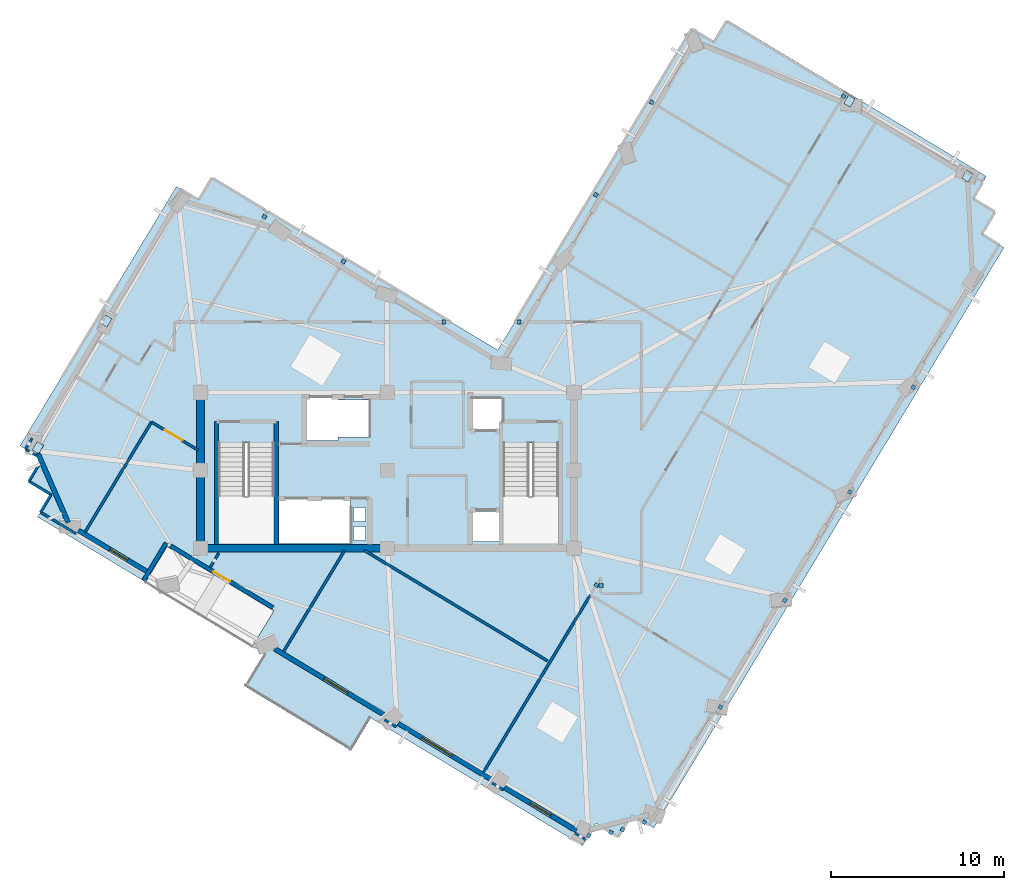
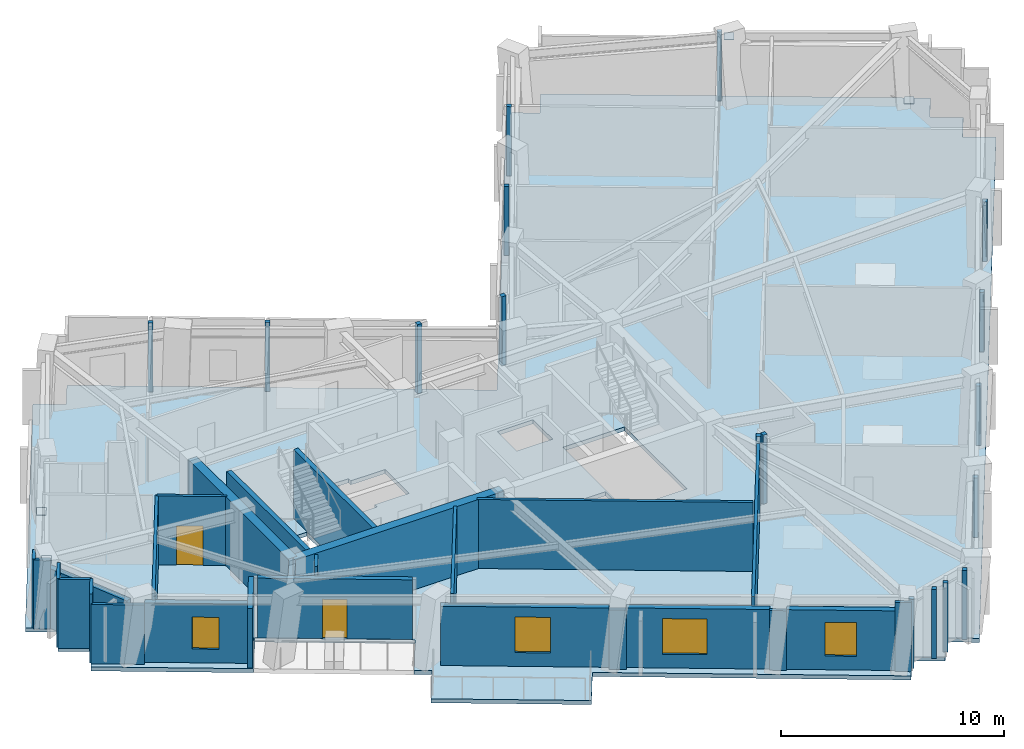
# One storey, part 4 of 12: 26 walls, 21 plates, 4 windows, 2 doors, 1 slab, 6 openings.
"""IFC4 building model written with IfcOpenShell, lengths in metres."""

from ifc_helpers import new_model, si_unit, direction, frame, frame_2d, origin, origin_2d, place, context, subcontext, project, spatial, polyline, rectangle, outline, extrude, material, layer, layer_set, type_object, element, fill, save


model = new_model("IFC4")

# Units and contexts
model_context = context("Model", 3, precision=1e-05, world=origin(), true_north=direction((0.0, 1.0)))
body_context = subcontext(model_context, "Body", "Model", "MODEL_VIEW")
ifc_project = project(units=[si_unit("LENGTHUNIT", "METRE"), si_unit("AREAUNIT", "SQUARE_METRE"), si_unit("VOLUMEUNIT", "CUBIC_METRE"), si_unit("PLANEANGLEUNIT", "RADIAN"), si_unit("MASSUNIT", "GRAM", prefix="KILO")], contexts=[model_context])

# Site, building, storey
site_placement = place(None, origin())
site = spatial("IfcSite", under=ifc_project, at=site_placement, CompositionType="ELEMENT")
building_placement = place(site_placement, origin())
building = spatial("IfcBuilding", under=site, at=building_placement, Name="Gaonmaruhae Medical Tower", CompositionType="ELEMENT")
storey_placement = place(building_placement, frame((0.0, 0.0, 276.60009765625)))
storey = spatial("IfcBuildingStorey", under=building, at=storey_placement, Name="L66", CompositionType="ELEMENT", Elevation=276.60009765625)

# Slab
ifc_material_1 = material(Name="Concrete C40/50", Category="concrete")
ifc_layer_1 = layer(ifc_material_1, 0.219970703125)
ifc_layer_set_1 = layer_set([ifc_layer_1], Name="Concrete C40/50")
slab_type = type_object("IfcSlabType", Name="FS-220 Clinical Ward Composite Floor Slab", PredefinedType="FLOOR", material=ifc_layer_set_1)
slab_placement = place(storey_placement, frame((0.0, 0.0, -0.22021484375)))
element("IfcSlab", 1, at=slab_placement, inside=storey, type_object=slab_type, Name="L66 Structural Slab 1", PredefinedType="FLOOR", context=body_context, shape_type="SweptSolid", body=[
    extrude(outline(polyline([(5.355224609375, 10.889892578125), (4.07080078125, 11.664794921875), (4.845703125, 12.94921875), (3.561279296875, 13.72412109375), (12.6005859375, 28.708740234375), (13.885009765625, 27.933837890625), (14.659912109375, 29.21826171875), (31.185791015625, 19.249267578125), (42.39453125, 37.830078125), (43.678955078125, 37.055419921875), (44.453857421875, 38.33984375), (59.4384765625, 29.30029296875), (58.663818359375, 28.01611328125), (59.947998046875, 27.2412109375), (59.17333984375, 25.956787109375), (60.457763671875, 25.181884765625), (40.209716796875, -8.383544921875), (38.92529296875, -7.60888671875), (38.150390625, -8.893310546875), (36.865966796875, -8.118408203125), (36.09130859375, -9.40283203125), (23.846435546875, -2.016357421875), (22.710205078125, -3.900146484375), (16.544921875, -0.18115234375), (17.681396484375, 1.70263671875), (16.996337890625, 2.115966796875), (18.236083984375, 4.1708984375), (12.071044921875, 7.889892578125), (10.831298828125, 5.8349609375), (4.58056640625, 9.605712890625), (5.355224609375, 10.889892578125)]), holes=[polyline([(23.550048828125, 8.25), (22.85009765625, 8.25), (22.85009765625, 9.050048828125), (23.550048828125, 9.050048828125), (23.550048828125, 8.25)]), polyline([(29.574951171875, 9.925048828125), (31.425048828125, 9.925048828125), (31.425048828125, 8.175048828125), (29.574951171875, 8.175048828125), (29.574951171875, 9.925048828125)]), polyline([(18.550048828125, 10.625), (22.64990234375, 10.625), (22.64990234375, 8.074951171875), (18.550048828125, 8.074951171875), (18.550048828125, 10.625)]), polyline([(23.550048828125, 9.35009765625), (22.85009765625, 9.35009765625), (22.85009765625, 10.14990234375), (23.550048828125, 10.14990234375), (23.550048828125, 9.35009765625)]), polyline([(15.050048828125, 13.889892578125), (18.25, 13.889892578125), (18.25, 8.300048828125), (15.050048828125, 8.300048828125), (15.050048828125, 13.889892578125)]), polyline([(31.5, 13.889892578125), (34.699951171875, 13.889892578125), (34.699951171875, 8.300048828125), (31.5, 8.300048828125), (31.5, 13.889892578125)]), polyline([(23.72509765625, 14.22509765625), (21.949951171875, 14.22509765625), (21.949951171875, 14.02490234375), (19.949951171875, 14.02490234375), (19.949951171875, 16.574951171875), (21.949951171875, 16.574951171875), (21.949951171875, 16.375), (23.72509765625, 16.375), (23.72509765625, 14.22509765625)]), polyline([(31.425048828125, 16.425048828125), (31.425048828125, 14.675048828125), (29.574951171875, 14.675048828125), (29.574951171875, 16.425048828125), (31.425048828125, 16.425048828125)])]), origin(), (0.0, 0.0, 1.0), 0.22021484375),
])

# Plates
ifc_material_2 = material(Name="Steel HSA650 (650 MPa)", Category="steel")
ifc_layer_2 = layer(ifc_material_2, 0.028076171875)
ifc_layer_set_2 = layer_set([ifc_layer_2], Name="Steel HSA650 (650 MPa)")
plate_type_1 = type_object("IfcPlateType", Name="GP-02 Tube Brace End Cap Gusset Plate", PredefinedType="USERDEFINED", material=ifc_layer_set_2)
for number, where, z_axis, x_axis, name in (
    (2, (58.3408203125, 29.3203125, 0.23583984375), (0.0, 0.0, 1.0), (0.516533328867, 0.8562670846, 0.0), "L66 Gusset Cap Plate PLT-L66-PBR-E01A"),
    (3, (51.517822265625, 33.6474609375, 3.515625), (0.0, 0.0, 1.0), (0.502265533143, 0.86471344052, 0.0), "L66 Gusset Cap Plate PLT-L66-PBR-E01B"),
    (4, (8.552001953125, 20.93212890625, 0.23583984375), (0.0, 0.0, 1.0), (0.516533328867, 0.8562670846, 0.0), "L66 Gusset Cap Plate PLT-L66-PBR-N02A"),
    (5, (4.598388671875, 13.607421875, 3.43701171875), (0.0, 0.0, 1.0), (0.502265533143, 0.86471344052, 0.0), "L66 Gusset Cap Plate PLT-L66-PBR-N02B"),
):
    element("IfcPlate", number, at=place(storey_placement, frame(where, z_axis=z_axis, x_axis=x_axis)), inside=storey, type_object=plate_type_1, Name=name, ObjectType="GUSSET_PLATE", PredefinedType="USERDEFINED", context=body_context, shape_type="SweptSolid", body=[
        extrude(rectangle(XDim=0.56005859375, YDim=0.43994140625, at=origin_2d()), origin(), (0.0, 0.0, 1.0), 0.028076171875),
    ])
ifc_material_3 = material(Name="Anodised aluminium 6063-T6", Category="aluminium")
ifc_layer_3 = layer(ifc_material_3, 0.011962890625)
ifc_layer_set_3 = layer_set([ifc_layer_3], Name="Anodised aluminium 6063-T6")
plate_type_2 = type_object("IfcPlateType", Name="PP-01 Interior Partition Corner Stiffener Plate", PredefinedType="SHEET", material=ifc_layer_set_3)
for number, where, z_axis, x_axis, name in (
    (6, (37.7275390625, -8.637939453125, 0.0), (0.0, 0.0, 1.0), (-0.856149864866, 0.516727596408, 0.0), "L66 Partition Corner Stiffener Plate PLT-L66-JGP-PW008"),
    (7, (36.449462890625, -8.80859375, 0.0), (0.0, 0.0, 1.0), (-0.515995218466, -0.856591463021, 0.0), "L66 Partition Corner Stiffener Plate PLT-L66-JGP-PW009"),
):
    element("IfcPlate", number, at=place(storey_placement, frame(where, z_axis=z_axis, x_axis=x_axis)), inside=storey, type_object=plate_type_2, Name=name, PredefinedType="SHEET", context=body_context, shape_type="SweptSolid", body=[
        extrude(rectangle(XDim=0.219970703125, YDim=0.219970703125, at=origin_2d()), origin(), (0.0, 0.0, 1.0), 3.780029296875),
    ])
plate_1_placement = place(storey_placement, frame((44.060546875, -1.380615234375, 0.0), z_axis=(0.0, 0.0, 1.0), x_axis=(-0.515292378894, -0.857014448101, 0.0)))
element("IfcPlate", 8, at=plate_1_placement, inside=storey, type_object=plate_type_2, Name="L66 Partition Corner Stiffener Plate PLT-L66-JGP-PW014", PredefinedType="SHEET", context=body_context, shape_type="SweptSolid", body=[
    extrude(rectangle(XDim=0.219970703125, YDim=0.219970703125, at=origin_2d()), origin(), (0.0, 0.0, 1.0), 3.264892578125),
])
for number, where, z_axis, x_axis, name in (
    (9, (39.64990234375, -8.0458984375, 0.0), (0.0, 0.0, 1.0), (-0.85696048211, 0.515382122411, 0.0), "L66 Partition Corner Stiffener Plate PLT-L66-JGP-PW016"),
    (10, (38.405029296875, -8.470458984375, 0.0), (0.0, 0.0, 1.0), (-0.516727596408, -0.856149864866, 0.0), "L66 Partition Corner Stiffener Plate PLT-L66-JGP-PW017"),
):
    element("IfcPlate", number, at=place(storey_placement, frame(where, z_axis=z_axis, x_axis=x_axis)), inside=storey, type_object=plate_type_2, Name=name, PredefinedType="SHEET", context=body_context, shape_type="SweptSolid", body=[
        extrude(rectangle(XDim=0.219970703125, YDim=0.219970703125, at=origin_2d()), origin(), (0.0, 0.0, 1.0), 3.780029296875),
    ])
plate_2_placement = place(storey_placement, frame((47.779052734375, 4.783935546875, 0.0), z_axis=(0.0, 0.0, 1.0), x_axis=(-0.516757481361, -0.856131827149, 0.0)))
element("IfcPlate", 11, at=plate_2_placement, inside=storey, type_object=plate_type_2, Name="L66 Partition Corner Stiffener Plate PLT-L66-JGP-PW022", PredefinedType="SHEET", context=body_context, shape_type="SweptSolid", body=[
    extrude(rectangle(XDim=0.219970703125, YDim=0.219970703125, at=origin_2d()), origin(), (0.0, 0.0, 1.0), 3.264892578125),
])
for number, where, z_axis, x_axis, name in (
    (12, (36.886474609375, 5.66162109375, 0.0), (0.0, 0.0, 1.0), (0.516802307611, 0.856104768617, 0.0), "L66 Partition Corner Stiffener Plate PLT-L66-JGP-PW023"),
    (13, (37.14990234375, 5.6474609375, 0.0), (0.0, 0.0, 1.0), (0.0, -1.0, 0.0), "L66 Partition Corner Stiffener Plate PLT-L66-JGP-PW024"),
):
    element("IfcPlate", number, at=place(storey_placement, frame(where, z_axis=z_axis, x_axis=x_axis)), inside=storey, type_object=plate_type_2, Name=name, PredefinedType="SHEET", context=body_context, shape_type="SweptSolid", body=[
        extrude(rectangle(XDim=0.219970703125, YDim=0.219970703125, at=origin_2d()), origin(), (0.0, 0.0, 1.0), 3.780029296875),
    ])
for number, where, z_axis, x_axis, name in (
    (14, (55.217041015625, 17.113525390625, 0.0), (0.0, 0.0, 1.0), (-0.516174611244, -0.856483374449, 0.0), "L66 Partition Corner Stiffener Plate PLT-L66-JGP-PW027"),
    (15, (51.552978515625, 11.0400390625, 0.0), (0.0, 0.0, 1.0), (-0.516010168729, -0.856582457075, 0.0), "L66 Partition Corner Stiffener Plate PLT-L66-JGP-PW028"),
):
    element("IfcPlate", number, at=place(storey_placement, frame(where, z_axis=z_axis, x_axis=x_axis)), inside=storey, type_object=plate_type_2, Name=name, PredefinedType="SHEET", context=body_context, shape_type="SweptSolid", body=[
        extrude(rectangle(XDim=0.219970703125, YDim=0.219970703125, at=origin_2d()), origin(), (0.0, 0.0, 1.0), 3.264892578125),
    ])
for number, where, z_axis, x_axis, name in (
    (16, (32.424072265625, 20.8798828125, 0.0), (0.0, 0.0, 1.0), (-1.0, 0.0, 0.0), "L66 Partition Corner Stiffener Plate PLT-L66-JGP-PW054"),
    (17, (22.262451171875, 24.3779296875, 0.0), (0.0, 0.0, 1.0), (0.517534269031, 0.855662480408, 0.0), "L66 Partition Corner Stiffener Plate PLT-L66-JGP-PW060"),
    (18, (28.06103515625, 20.8798828125, 0.0), (0.0, 0.0, 1.0), (-1.0, 0.0, 0.0), "L66 Partition Corner Stiffener Plate PLT-L66-JGP-PW062"),
    (19, (17.69189453125, 26.966552734375, 0.0), (0.0, 0.0, 1.0), (0.517130990138, 0.855906267671, 0.0), "L66 Partition Corner Stiffener Plate PLT-L66-JGP-PW066"),
    (20, (36.857421875, 28.23046875, 0.0), (0.0, 0.0, 1.0), (0.856276099677, -0.516518384108, 0.0), "L66 Partition Corner Stiffener Plate PLT-L66-JGP-PW086"),
    (21, (40.0859375, 33.58203125, 0.0), (0.0, 0.0, 1.0), (0.856681508129, -0.515845707194, 0.0), "L66 Partition Corner Stiffener Plate PLT-L66-JGP-PW090"),
    (22, (51.16796875, 33.925048828125, 0.0), (0.0, 0.0, 1.0), (-0.516398820376, -0.856348210902, 0.0), "L66 Partition Corner Stiffener Plate PLT-L66-JGP-PW097"),
):
    element("IfcPlate", number, at=place(storey_placement, frame(where, z_axis=z_axis, x_axis=x_axis)), inside=storey, type_object=plate_type_2, Name=name, PredefinedType="SHEET", context=body_context, shape_type="SweptSolid", body=[
        extrude(rectangle(XDim=0.219970703125, YDim=0.219970703125, at=origin_2d()), origin(), (0.0, 0.0, 1.0), 3.780029296875),
    ])

# Walls
ifc_material_4 = material(Name="Concrete C50/60", Category="concrete")
ifc_layer_4 = layer(ifc_material_4, 0.449951171875)
ifc_layer_set_4 = layer_set([ifc_layer_4], Name="Concrete C50/60")
wall_type_1 = type_object("IfcWallType", Name="CW-450 Upper Core Shear Wall", PredefinedType="SHEAR", material=ifc_layer_set_4)
wall_1_placement = place(storey_placement, frame((14.0, 7.800048828125, 0.0), z_axis=(0.0, 0.0, 1.0), x_axis=(1.0, 0.0, 0.0)))
element("IfcWall", 23, at=wall_1_placement, inside=storey, type_object=wall_type_1, Name="L66 Core Shear Wall CSW-S1", PredefinedType="SHEAR", context=body_context, shape_type="SweptSolid", body=[
    extrude(rectangle(XDim=10.800048828125, YDim=0.449951171875, at=frame_2d((5.39990234375, 0.0))), origin(), (0.0, 0.0, 1.0), 3.77978515625),
])
wall_2_placement = place(storey_placement, frame((14.0, 16.800048828125, 0.0), z_axis=(0.0, 0.0, 1.0), x_axis=(0.0, -1.0, 0.0)))
element("IfcWall", 24, at=wall_2_placement, inside=storey, type_object=wall_type_1, Name="L66 Core Shear Wall CSW-W1", PredefinedType="SHEAR", context=body_context, shape_type="SweptSolid", body=[
    extrude(rectangle(XDim=9.0, YDim=0.449951171875, at=frame_2d((4.5, 0.0))), origin(), (0.0, 0.0, 1.0), 3.77978515625),
])

# Wall, opening, door
ifc_material_5 = material(Name="Precast concrete C45/55", Category="concrete")
ifc_layer_5 = layer(ifc_material_5, 0.239990234375)
ifc_layer_set_5 = layer_set([ifc_layer_5], Name="Precast concrete C45/55")
wall_type_2 = type_object("IfcWallType", Name="EW-240 Ribbon & Shelter Insulated Precast Wall", PredefinedType="SOLIDWALL", material=ifc_layer_set_5)
wall_3_placement = place(storey_placement, frame((18.20556640625, 4.352783203125, 0.0), z_axis=(0.0, 0.0, 1.0), x_axis=(-0.856267913318, 0.516531955084, 0.0)))
wall_3 = element("IfcWall", 25, at=wall_3_placement, inside=storey, type_object=wall_type_2, Name="L66 Recessed Terrace Enclosure Wall TERB", PredefinedType="SOLIDWALL", context=body_context, shape_type="SweptSolid", body=[
    extrude(rectangle(XDim=6.959716796875, YDim=0.239990234375, at=frame_2d((3.47998046875, 0.0))), origin(), (0.0, 0.0, 1.0), 3.264892578125),
])
opening_1_placement = place(wall_3_placement, frame((2.929931640625, 0.0, 0.0)))
opening_1 = element("IfcOpeningElement", 26, at=opening_1_placement, cuts=wall_3, Name="Opening TD-01", PredefinedType="OPENING", context=body_context, shape_type="SweptSolid", body=[
    extrude(rectangle(XDim=1.10009765625, YDim=2.14990234375, at=frame_2d((0.550048828125, 1.074951171875))), frame((0.0, 0.1298828125, 0.0), z_axis=(0.0, -1.0, 0.0), x_axis=(1.0, 0.0, 0.0)), (0.0, 0.0, 1.0), 0.260009765625),
])
ifc_material_6 = material(Name="Anodised aluminium and toughened safety glass", Category="aluminium")
door_type_1 = type_object("IfcDoorType", Name="TD-01 Terrace & Sky Garden Glazed Door 1100x2150", OperationType="NOTDEFINED", PredefinedType="DOOR", material=ifc_material_6)
door_1_placement = place(opening_1_placement, origin())
door_1 = element("IfcDoor", 27, at=door_1_placement, inside=storey, type_object=door_type_1, Name="L66 Outdoor Terrace Access Door SLB-L66-TER", OperationType="SINGLE_SWING_LEFT", OverallHeight=2.14990234375, OverallWidth=1.10009765625, PredefinedType="DOOR", context=body_context, shape_type="SweptSolid", body=[
    extrude(rectangle(XDim=1.10009765625, YDim=2.14990234375, at=frame_2d((0.550048828125, 1.074951171875))), frame((0.0, 0.02490234375, 0.0), z_axis=(0.0, -1.0, 0.0), x_axis=(1.0, 0.0, 0.0)), (0.0, 0.0, 1.0), 0.050048828125),
])
fill(opening_1, door_1)

# Walls
wall_4_placement = place(storey_placement, frame((12.00634765625, 8.092529296875, 0.0), z_axis=(0.0, 0.0, 1.0), x_axis=(-0.516590911312, -0.856232346008, 0.0)))
element("IfcWall", 28, at=wall_4_placement, inside=storey, type_object=wall_type_2, Name="L66 Recessed Terrace Enclosure Wall TERR", PredefinedType="SOLIDWALL", context=body_context, shape_type="SweptSolid", body=[
    extrude(rectangle(XDim=2.5, YDim=0.239990234375, at=frame_2d((1.25, 0.0))), origin(), (0.0, 0.0, 1.0), 3.264892578125),
])
ifc_layer_6 = layer(ifc_material_5, 0.280029296875)
ifc_layer_set_6 = layer_set([ifc_layer_6], Name="Precast concrete C45/55")
wall_type_3 = type_object("IfcWallType", Name="EW-280 Upper Precast Masonry-Frame Facade Wall", PredefinedType="SOLIDWALL", material=ifc_layer_set_6)
wall_5_placement = place(storey_placement, frame((6.3505859375, 9.273193359375, 0.0), z_axis=(0.0, 0.0, 1.0), x_axis=(-0.401698979628, 0.91577176729, 0.0)))
element("IfcWall", 29, at=wall_5_placement, inside=storey, type_object=wall_type_3, Name="L66 Precast Masonry-Frame Wall N03-W01", PredefinedType="SOLIDWALL", context=body_context, shape_type="SweptSolid", body=[
    extrude(rectangle(XDim=4.408203125, YDim=0.280029296875, at=frame_2d((2.2041015625, 0.0))), origin(), (0.0, 0.0, 1.0), 3.264892578125),
])

# Wall, opening, window
wall_6_placement = place(storey_placement, frame((10.961181640625, 6.398681640625, 0.0), z_axis=(0.0, 0.0, 1.0), x_axis=(-0.856261128113, 0.51654320292, 0.0)))
wall_6 = element("IfcWall", 30, at=wall_6_placement, inside=storey, type_object=wall_type_3, Name="L66 Precast Masonry-Frame Wall W01-W02", PredefinedType="SOLIDWALL", context=body_context, shape_type="SweptSolid", body=[
    extrude(rectangle(XDim=4.713623046875, YDim=0.280029296875, at=frame_2d((2.35693359375, 0.0))), origin(), (0.0, 0.0, 1.0), 3.244873046875),
])
opening_2_placement = place(wall_6_placement, frame((1.3798828125, 0.0, 0.75)))
opening_2 = element("IfcOpeningElement", 31, at=opening_2_placement, cuts=wall_6, Name="Opening WN-05", PredefinedType="OPENING", context=body_context, shape_type="SweptSolid", body=[
    extrude(rectangle(XDim=1.199951171875, YDim=1.75, at=frame_2d((0.60009765625, 0.875))), frame((0.0, 0.14990234375, 0.0), z_axis=(0.0, -1.0, 0.0), x_axis=(1.0, 0.0, 0.0)), (0.0, 0.0, 1.0), 0.300048828125),
])
ifc_material_7 = material(Name="Anodised aluminium and Low-E double glazing", Category="aluminium")
window_type_1 = type_object("IfcWindowType", Name="WN-05 Support & Staff Punched Window 1200x1750", PartitioningType="SINGLE_PANEL", PredefinedType="WINDOW", material=ifc_material_7)
window_1_placement = place(opening_2_placement, origin())
window_1 = element("IfcWindow", 32, at=window_1_placement, inside=storey, type_object=window_type_1, Name="L66 Modular Facade Window W01", OverallHeight=1.75, OverallWidth=1.199951171875, PartitioningType="SINGLE_PANEL", PredefinedType="WINDOW", context=body_context, shape_type="SweptSolid", body=[
    extrude(rectangle(XDim=1.199951171875, YDim=1.75, at=frame_2d((0.60009765625, 0.875))), frame((0.0, 0.030029296875, 0.0), z_axis=(0.0, -1.0, 0.0), x_axis=(1.0, 0.0, 0.0)), (0.0, 0.0, 1.0), 0.06005859375),
])
fill(opening_2, window_1)

wall_7_placement = place(storey_placement, frame((24.758544921875, -1.92431640625, 0.0), z_axis=(0.0, 0.0, 1.0), x_axis=(-0.856256386389, 0.516551063078, 0.0)))
wall_7 = element("IfcWall", 33, at=wall_7_placement, inside=storey, type_object=wall_type_3, Name="L66 Precast Masonry-Frame Wall W03-W04", PredefinedType="SOLIDWALL", context=body_context, shape_type="SweptSolid", body=[
    extrude(rectangle(XDim=7.558349609375, YDim=0.280029296875, at=frame_2d((3.779296875, 0.0))), origin(), (0.0, 0.0, 1.0), 3.244873046875),
])
opening_3_placement = place(wall_7_placement, frame((2.61279296875, 0.0, 0.75)))
opening_3 = element("IfcOpeningElement", 34, at=opening_3_placement, cuts=wall_7, Name="Opening WN-01", PredefinedType="OPENING", context=body_context, shape_type="SweptSolid", body=[
    extrude(rectangle(XDim=1.60009765625, YDim=1.949951171875, at=frame_2d((0.800048828125, 0.97509765625))), frame((0.0, 0.14990234375, 0.0), z_axis=(0.0, -1.0, 0.0), x_axis=(1.0, 0.0, 0.0)), (0.0, 0.0, 1.0), 0.300048828125),
])
window_type_2 = type_object("IfcWindowType", Name="WN-01 Ward Punched Acoustic Window 1600x1950", PartitioningType="SINGLE_PANEL", PredefinedType="WINDOW", material=ifc_material_7)
window_2_placement = place(opening_3_placement, origin())
window_2 = element("IfcWindow", 35, at=window_2_placement, inside=storey, type_object=window_type_2, Name="L66 Modular Facade Window W03", OverallHeight=1.949951171875, OverallWidth=1.60009765625, PartitioningType="SINGLE_PANEL", PredefinedType="WINDOW", context=body_context, shape_type="SweptSolid", body=[
    extrude(rectangle(XDim=1.60009765625, YDim=1.949951171875, at=frame_2d((0.800048828125, 0.97509765625))), frame((0.0, 0.030029296875, 0.0), z_axis=(0.0, -1.0, 0.0), x_axis=(1.0, 0.0, 0.0)), (0.0, 0.0, 1.0), 0.06005859375),
])
fill(opening_3, window_2)

wall_8_placement = place(storey_placement, frame((30.9345703125, -5.64990234375, 0.0), z_axis=(0.0, 0.0, 1.0), x_axis=(-0.856266766998, 0.516533855362, 0.0)))
wall_8 = element("IfcWall", 36, at=wall_8_placement, inside=storey, type_object=wall_type_3, Name="L66 Precast Masonry-Frame Wall W04-W05", PredefinedType="SOLIDWALL", context=body_context, shape_type="SweptSolid", body=[
    extrude(rectangle(XDim=6.42529296875, YDim=0.280029296875, at=frame_2d((3.212646484375, 0.0))), origin(), (0.0, 0.0, 1.0), 3.264892578125),
])
opening_4_placement = place(wall_8_placement, frame((2.819580078125, 0.0, 0.75)))
opening_4 = element("IfcOpeningElement", 37, at=opening_4_placement, cuts=wall_8, Name="Opening WN-02", PredefinedType="OPENING", context=body_context, shape_type="SweptSolid", body=[
    extrude(rectangle(XDim=2.0, YDim=1.949951171875, at=frame_2d((1.0, 0.97509765625))), frame((0.0, 0.14990234375, 0.0), z_axis=(0.0, -1.0, 0.0), x_axis=(1.0, 0.0, 0.0)), (0.0, 0.0, 1.0), 0.300048828125),
])
window_type_3 = type_object("IfcWindowType", Name="WN-02 Double-Bed Ward Punched Window 2000x1950", PartitioningType="SINGLE_PANEL", PredefinedType="WINDOW", material=ifc_material_7)
window_3_placement = place(opening_4_placement, origin())
window_3 = element("IfcWindow", 38, at=window_3_placement, inside=storey, type_object=window_type_3, Name="L66 Modular Facade Window W04", OverallHeight=1.949951171875, OverallWidth=2.0, PartitioningType="SINGLE_PANEL", PredefinedType="WINDOW", context=body_context, shape_type="SweptSolid", body=[
    extrude(rectangle(XDim=2.0, YDim=1.949951171875, at=frame_2d((1.0, 0.97509765625))), frame((0.0, 0.030029296875, 0.0), z_axis=(0.0, -1.0, 0.0), x_axis=(1.0, 0.0, 0.0)), (0.0, 0.0, 1.0), 0.06005859375),
])
fill(opening_4, window_3)

wall_9_placement = place(storey_placement, frame((35.743896484375, -8.551025390625, 0.0), z_axis=(0.0, 0.0, 1.0), x_axis=(-0.856279306397, 0.51651306802, 0.0)))
wall_9 = element("IfcWall", 39, at=wall_9_placement, inside=storey, type_object=wall_type_3, Name="L66 Precast Masonry-Frame Wall W05-W06", PredefinedType="SOLIDWALL", context=body_context, shape_type="SweptSolid", body=[
    extrude(rectangle(XDim=4.855224609375, YDim=0.280029296875, at=frame_2d((2.427734375, 0.0))), origin(), (0.0, 0.0, 1.0), 3.264892578125),
])
opening_5_placement = place(wall_9_placement, frame((1.732666015625, 0.0, 0.75)))
opening_5 = element("IfcOpeningElement", 40, at=opening_5_placement, cuts=wall_9, Name="Opening WN-03", PredefinedType="OPENING", context=body_context, shape_type="SweptSolid", body=[
    extrude(rectangle(XDim=1.39990234375, YDim=1.85009765625, at=frame_2d((0.699951171875, 0.925048828125))), frame((0.0, 0.14990234375, 0.0), z_axis=(0.0, -1.0, 0.0), x_axis=(1.0, 0.0, 0.0)), (0.0, 0.0, 1.0), 0.300048828125),
])
window_type_4 = type_object("IfcWindowType", Name="WN-03 Isolation Ward Punched Window 1400x1850", PartitioningType="SINGLE_PANEL", PredefinedType="WINDOW", material=ifc_material_7)
window_4_placement = place(opening_5_placement, origin())
window_4 = element("IfcWindow", 41, at=window_4_placement, inside=storey, type_object=window_type_4, Name="L66 Modular Facade Window W05", OverallHeight=1.85009765625, OverallWidth=1.39990234375, PartitioningType="SINGLE_PANEL", PredefinedType="WINDOW", context=body_context, shape_type="SweptSolid", body=[
    extrude(rectangle(XDim=1.39990234375, YDim=1.85009765625, at=frame_2d((0.699951171875, 0.925048828125))), frame((0.0, 0.030029296875, 0.0), z_axis=(0.0, -1.0, 0.0), x_axis=(1.0, 0.0, 0.0)), (0.0, 0.0, 1.0), 0.06005859375),
])
fill(opening_5, window_4)

# Walls
ifc_material_8 = material(Name="Gypsum board partition", Category="gypsum")
ifc_layer_7 = layer(ifc_material_8, 0.14990234375)
ifc_layer_set_7 = layer_set([ifc_layer_7], Name="Gypsum board partition")
wall_type_4 = type_object("IfcWallType", Name="PW-150 Rated Clinical Corridor Partition", PredefinedType="PARTITIONING", material=ifc_layer_set_7)
wall_10_placement = place(storey_placement, frame((36.298095703125, -9.06005859375, 0.0), z_axis=(0.0, 0.0, 1.0), x_axis=(-0.856028502865, 0.516928623974, 0.0)))
element("IfcWall", 42, at=wall_10_placement, inside=storey, type_object=wall_type_4, Name="L66 Interior Partition L66-SUP01-10", PredefinedType="PARTITIONING", context=body_context, shape_type="SweptSolid", body=[
    extrude(rectangle(XDim=0.7373046875, YDim=0.14990234375, at=frame_2d((0.36865234375, 0.0))), origin(), (0.0, 0.0, 1.0), 3.77978515625),
])
wall_11_placement = place(storey_placement, frame((31.509033203125, -6.172119140625, 0.0), z_axis=(0.0, 0.0, 1.0), x_axis=(-0.855877128353, 0.51717921571, 0.0)))
element("IfcWall", 43, at=wall_11_placement, inside=storey, type_object=wall_type_4, Name="L66 Interior Partition L66-SUP01-11", PredefinedType="PARTITIONING", context=body_context, shape_type="SweptSolid", body=[
    extrude(rectangle(XDim=0.761962890625, YDim=0.14990234375, at=frame_2d((0.380859375, 0.0))), origin(), (0.0, 0.0, 1.0), 3.264892578125),
])
wall_12_placement = place(storey_placement, frame((30.35498046875, -5.166015625, 0.0), z_axis=(0.0, 0.0, 1.0), x_axis=(0.516562927605, 0.856249228802, 0.0)))
element("IfcWall", 44, at=wall_12_placement, inside=storey, type_object=wall_type_4, Name="L66 Interior Partition L66-SUP01-12", PredefinedType="PARTITIONING", context=body_context, shape_type="SweptSolid", body=[
    extrude(rectangle(XDim=11.975341796875, YDim=0.14990234375, at=frame_2d((5.98779296875, 0.0))), origin(), (0.0, 0.0, 1.0), 3.77978515625),
])
wall_13_placement = place(storey_placement, frame((25.31396484375, -2.528076171875, 0.0), z_axis=(0.0, 0.0, 1.0), x_axis=(-0.85606703379, 0.516864811781, 0.0)))
element("IfcWall", 45, at=wall_13_placement, inside=storey, type_object=wall_type_4, Name="L66 Interior Partition L66-WOF05-37", PredefinedType="PARTITIONING", context=body_context, shape_type="SweptSolid", body=[
    extrude(rectangle(XDim=0.787353515625, YDim=0.14990234375, at=frame_2d((0.3935546875, 0.0))), origin(), (0.0, 0.0, 1.0), 3.264892578125),
])
wall_14_placement = place(storey_placement, frame((18.794921875, 1.806884765625, 0.0), z_axis=(0.0, 0.0, 1.0), x_axis=(0.516562549991, 0.856249456611, 0.0)))
element("IfcWall", 46, at=wall_14_placement, inside=storey, type_object=wall_type_4, Name="L66 Interior Partition L66-WOF05-38", PredefinedType="PARTITIONING", context=body_context, shape_type="SweptSolid", body=[
    extrude(rectangle(XDim=6.83935546875, YDim=0.14990234375, at=frame_2d((3.419677734375, 0.0))), origin(), (0.0, 0.0, 1.0), 3.77978515625),
])
wall_15_placement = place(storey_placement, frame((23.4619140625, 7.675048828125, 0.0), z_axis=(0.0, 0.0, 1.0), x_axis=(0.856286045931, -0.516501895005, 0.0)))
element("IfcWall", 47, at=wall_15_placement, inside=storey, type_object=wall_type_4, Name="L66 Interior Partition L66-WOF05-39", PredefinedType="PARTITIONING", context=body_context, shape_type="SweptSolid", body=[
    extrude(rectangle(XDim=12.375732421875, YDim=0.14990234375, at=frame_2d((6.18798828125, 0.0))), origin(), (0.0, 0.0, 1.0), 3.77978515625),
])
wall_16_placement = place(storey_placement, frame((7.321044921875, 8.72900390625, 0.0), z_axis=(0.0, 0.0, 1.0), x_axis=(0.516618899953, 0.856215458989, 0.0)))
element("IfcWall", 48, at=wall_16_placement, inside=storey, type_object=wall_type_4, Name="L66 Interior Partition L66-WOF06-40", PredefinedType="PARTITIONING", context=body_context, shape_type="SweptSolid", body=[
    extrude(rectangle(XDim=7.43505859375, YDim=0.14990234375, at=frame_2d((3.717529296875, 0.0))), origin(), (0.0, 0.0, 1.0), 3.77978515625),
])

# Wall, opening, door
wall_17_placement = place(storey_placement, frame((11.162109375, 15.094970703125, 0.0), z_axis=(0.0, 0.0, 1.0), x_axis=(0.85632282347, -0.516440918213, 0.0)))
wall_17 = element("IfcWall", 49, at=wall_17_placement, inside=storey, type_object=wall_type_4, Name="L66 Interior Partition L66-WOF06-41", PredefinedType="PARTITIONING", context=body_context, shape_type="SweptSolid", body=[
    extrude(rectangle(XDim=3.154052734375, YDim=0.14990234375, at=frame_2d((1.5771484375, 0.0))), origin(), (0.0, 0.0, 1.0), 3.77978515625),
])
opening_6_placement = place(wall_17_placement, frame((0.882080078125, 0.0, 0.0)))
opening_6 = element("IfcOpeningElement", 50, at=opening_6_placement, cuts=wall_17, Name="Opening CD-02", PredefinedType="OPENING", context=body_context, shape_type="SweptSolid", body=[
    extrude(rectangle(XDim=1.199951171875, YDim=2.14990234375, at=frame_2d((0.60009765625, 1.074951171875))), frame((0.0, 0.0849609375, 0.0), z_axis=(0.0, -1.0, 0.0), x_axis=(1.0, 0.0, 0.0)), (0.0, 0.0, 1.0), 0.169921875),
])
ifc_material_9 = material(Name="Antimicrobial laminate timber fire door", Category="wood")
door_type_2 = type_object("IfcDoorType", Name="CD-02 Clinical Treatment & Procedure Door 1200x2150", OperationType="NOTDEFINED", PredefinedType="DOOR", material=ifc_material_9)
door_2_placement = place(opening_6_placement, origin())
door_2 = element("IfcDoor", 51, at=door_2_placement, inside=storey, type_object=door_type_2, Name="L66 Ward Physician Reporting Office Door", OperationType="SINGLE_SWING_RIGHT", OverallHeight=2.14990234375, OverallWidth=1.199951171875, PredefinedType="DOOR", context=body_context, shape_type="SweptSolid", body=[
    extrude(rectangle(XDim=1.199951171875, YDim=2.14990234375, at=frame_2d((0.60009765625, 1.074951171875))), frame((0.0, 0.02490234375, 0.0), z_axis=(0.0, -1.0, 0.0), x_axis=(1.0, 0.0, 0.0)), (0.0, 0.0, 1.0), 0.050048828125),
])
fill(opening_6, door_2)

# Walls
wall_18_placement = place(storey_placement, frame((15.047119140625, 7.5, 0.0), z_axis=(0.0, 0.0, 1.0), x_axis=(-0.515976998155, -0.856602438343, 0.0)))
element("IfcWall", 52, at=wall_18_placement, inside=storey, type_object=wall_type_4, Name="L66 Interior Partition L66-WOF06-42", PredefinedType="PARTITIONING", context=body_context, shape_type="SweptSolid", body=[
    extrude(rectangle(XDim=0.968994140625, YDim=0.14990234375, at=frame_2d((0.484375, 0.0))), origin(), (0.0, 0.0, 1.0), 3.77978515625),
])
wall_19_placement = place(storey_placement, frame((4.529052734375, 13.14111328125, 0.0), z_axis=(0.0, 0.0, 1.0), x_axis=(-0.856485572998, 0.516170963195, 0.0)))
element("IfcWall", 53, at=wall_19_placement, inside=storey, type_object=wall_type_4, Name="L66 Interior Partition L66-BR01-43", PredefinedType="PARTITIONING", context=body_context, shape_type="SweptSolid", body=[
    extrude(rectangle(XDim=0.749755859375, YDim=0.14990234375, at=frame_2d((0.375, 0.0))), origin(), (0.0, 0.0, 1.0), 3.77978515625),
])
wall_20_placement = place(storey_placement, frame((3.886962890625, 13.528076171875, 0.0), z_axis=(0.0, 0.0, 1.0), x_axis=(0.516850632135, 0.856075594829, 0.0)))
element("IfcWall", 54, at=wall_20_placement, inside=storey, type_object=wall_type_4, Name="L66 Interior Partition L66-BR01-44", PredefinedType="PARTITIONING", context=body_context, shape_type="SweptSolid", body=[
    extrude(rectangle(XDim=0.731201171875, YDim=0.14990234375, at=frame_2d((0.36572265625, 0.0))), origin(), (0.0, 0.0, 1.0), 3.77978515625),
])
wall_21_placement = place(storey_placement, frame((6.805908203125, 8.636962890625, 0.0), z_axis=(0.0, 0.0, 1.0), x_axis=(-0.856200818685, 0.516643163201, 0.0)))
element("IfcWall", 55, at=wall_21_placement, inside=storey, type_object=wall_type_4, Name="L66 Interior Partition L66-BR01-48", PredefinedType="PARTITIONING", context=body_context, shape_type="SweptSolid", body=[
    extrude(rectangle(XDim=2.40576171875, YDim=0.14990234375, at=frame_2d((1.202880859375, 0.0))), origin(), (0.0, 0.0, 1.0), 3.244873046875),
])
wall_22_placement = place(storey_placement, frame((4.74609375, 9.8798828125, 0.0), z_axis=(0.0, 0.0, 1.0), x_axis=(0.516290770158, 0.856413358519, 0.0)))
element("IfcWall", 56, at=wall_22_placement, inside=storey, type_object=wall_type_4, Name="L66 Interior Partition L66-BR01-49", PredefinedType="PARTITIONING", context=body_context, shape_type="SweptSolid", body=[
    extrude(rectangle(XDim=1.179443359375, YDim=0.14990234375, at=frame_2d((0.58984375, 0.0))), origin(), (0.0, 0.0, 1.0), 3.77978515625),
])
wall_23_placement = place(storey_placement, frame((5.35498046875, 10.889892578125, 0.0), z_axis=(0.0, 0.0, 1.0), x_axis=(-0.856082111936, 0.516839837497, 0.0)))
element("IfcWall", 57, at=wall_23_placement, inside=storey, type_object=wall_type_4, Name="L66 Interior Partition L66-BR01-50", PredefinedType="PARTITIONING", context=body_context, shape_type="SweptSolid", body=[
    extrude(rectangle(XDim=1.499755859375, YDim=0.14990234375, at=frame_2d((0.75, 0.0))), origin(), (0.0, 0.0, 1.0), 3.77978515625),
])
wall_24_placement = place(storey_placement, frame((4.071044921875, 11.6650390625, 0.0), z_axis=(0.0, 0.0, 1.0), x_axis=(0.51678458006, 0.856115469906, 0.0)))
element("IfcWall", 58, at=wall_24_placement, inside=storey, type_object=wall_type_4, Name="L66 Interior Partition L66-BR01-51", PredefinedType="PARTITIONING", context=body_context, shape_type="SweptSolid", body=[
    extrude(rectangle(XDim=1.23828125, YDim=0.14990234375, at=frame_2d((0.619140625, 0.0))), origin(), (0.0, 0.0, 1.0), 3.77978515625),
])
ifc_layer_8 = layer(ifc_material_4, 0.239990234375)
ifc_layer_set_8 = layer_set([ifc_layer_8], Name="Concrete C50/60")
wall_type_5 = type_object("IfcWallType", Name="SW-240 Dogleg Stair Tight Shaft Wall", PredefinedType="SOLIDWALL", material=ifc_layer_set_8)
for number, where, z_axis, x_axis, name in (
    (59, (18.3798828125, 15.1201171875, 0.0), (0.0, 0.0, 1.0), (0.0, -1.0, 0.0), "L66 ST-01 Stair Shaft Wall SHW-ST-01-E"),
    (60, (14.919921875, 8.02490234375, 0.0), (0.0, 0.0, 1.0), (0.0, 1.0, 0.0), "L66 ST-01 Stair Shaft Wall SHW-ST-01-W"),
):
    element("IfcWall", number, at=place(storey_placement, frame(where, z_axis=z_axis, x_axis=x_axis)), inside=storey, type_object=wall_type_5, Name=name, PredefinedType="SOLIDWALL", context=body_context, shape_type="SweptSolid", body=[
        extrude(rectangle(XDim=7.09521484375, YDim=0.239990234375, at=frame_2d((3.547607421875, 0.0))), origin(), (0.0, 0.0, 1.0), 3.77978515625),
    ])

save(model, "model.ifc")
